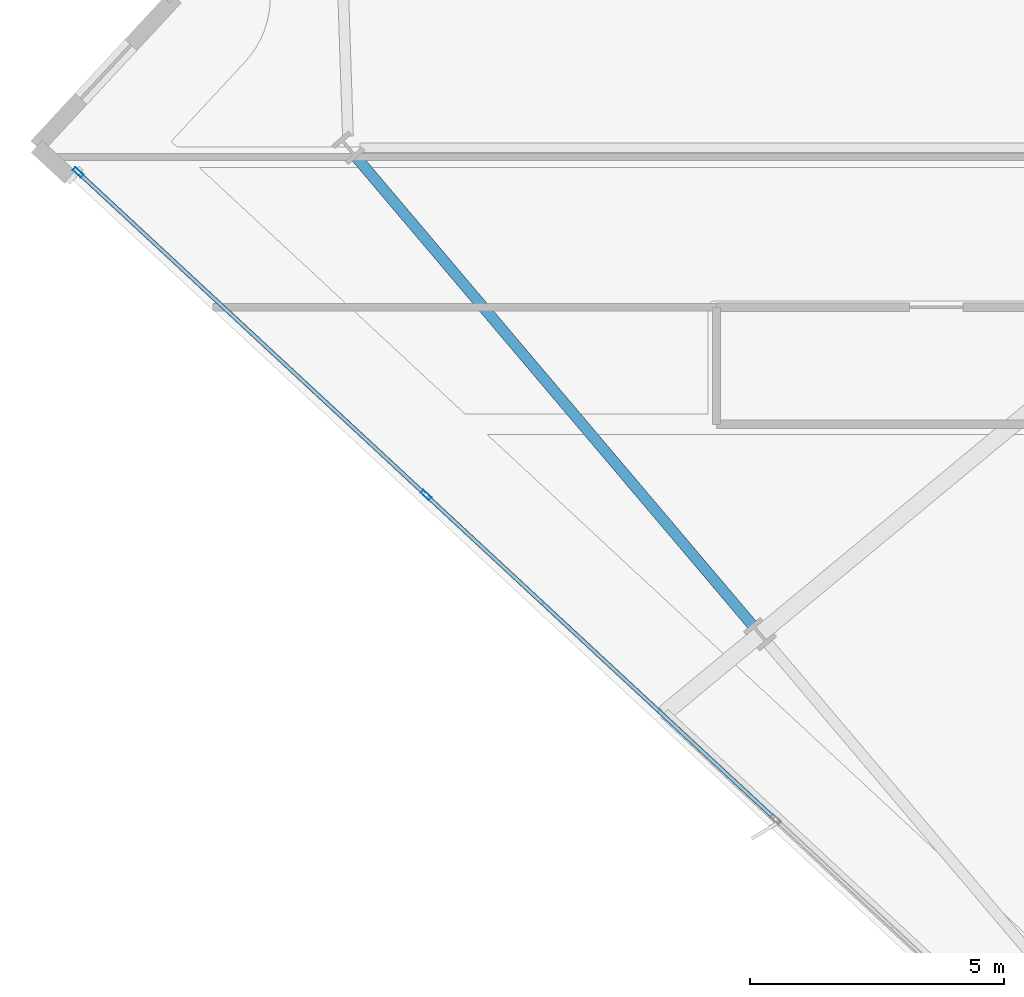
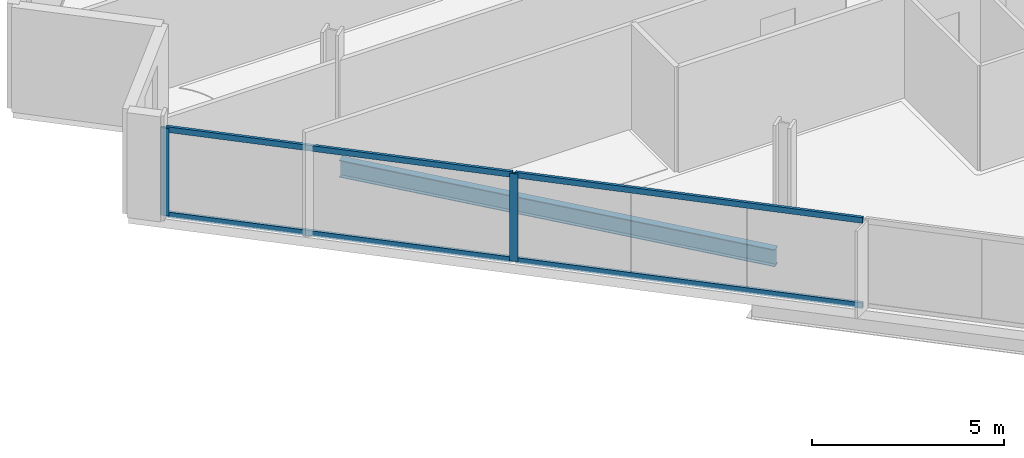
# One storey, part 4 of 32: 6 members, 1 beam, 1 element without a shape of its own.
"""IFC4 building model written with IfcOpenShell, lengths in metres."""

from ifc_helpers import new_model, si_unit, direction, frame, origin, origin_2d, place, context, subcontext, project, spatial, hollow_rectangle, i_section, extrude, material, material_profile, profile_set, type_object, element, aggregate, save


model = new_model("IFC4")

# Units and contexts
model_context = context("Model", 3, precision=1e-05, world=origin(), true_north=direction((0.0, 1.0)))
body_context = subcontext(model_context, "Body", "Model", "MODEL_VIEW")
ifc_project = project(units=[si_unit("LENGTHUNIT", "METRE"), si_unit("AREAUNIT", "SQUARE_METRE"), si_unit("VOLUMEUNIT", "CUBIC_METRE"), si_unit("PLANEANGLEUNIT", "RADIAN"), si_unit("MASSUNIT", "GRAM", prefix="KILO")], contexts=[model_context])

# Site, building, storey
site_placement = place(None, origin())
site = spatial("IfcSite", under=ifc_project, at=site_placement, CompositionType="ELEMENT")
building_placement = place(site_placement, origin())
building = spatial("IfcBuilding", under=site, at=building_placement, Name="Haldenkirk Collegiate Tower", CompositionType="ELEMENT")
storey_placement = place(building_placement, frame((0.0, 0.0, 185.699951171875)))
storey = spatial("IfcBuildingStorey", under=building, at=storey_placement, Name="L46", CompositionType="ELEMENT", Elevation=185.699951171875)

# Beam
ifc_material_1 = material(Name="Steel ASTM A992 Grade 50", Category="steel")
ifc_material_profile_1 = material_profile(ifc_material_1, i_section(OverallWidth=0.2119140625, OverallDepth=0.5439453125, WebThickness=0.01318359375, FlangeThickness=0.021240234375, at=origin_2d()), Name="W21X83")
ifc_profile_set_1 = profile_set([ifc_material_profile_1], Name="Steel ASTM A992 Grade 50")
beam_type = type_object("IfcBeamType", Name="BM-SPANDREL-W21X83", PredefinedType="SPANDREL", material=ifc_profile_set_1)
beam_placement = place(storey_placement, frame((11.111328125, 20.80859375, -0.56201171875), z_axis=(0.646126367676, -0.763230448157, 0.0), x_axis=(0.763230448157, 0.646126367676, 0.0)))
element("IfcBeam", 1, at=beam_placement, inside=storey, type_object=beam_type, Name="L46 perimeter spandrel beam 14", PredefinedType="SPANDREL", context=body_context, shape_type="SweptSolid", body=[
    extrude(i_section(OverallWidth=0.2119140625, OverallDepth=0.5439453125, WebThickness=0.01318359375, FlangeThickness=0.021240234375, at=origin_2d()), origin(), (0.0, 0.0, 1.0), 12.06494140625),
])

# Curtain wall, members
ifc_material_2 = material(Name="Anodised architectural bronze aluminium", Category="aluminium")
curtain_wall_type = type_object("IfcCurtainWallType", Name="CW-SYS1-CONVEX-LOW", PredefinedType="USERDEFINED", material=ifc_material_2)
curtain_wall_placement = place(storey_placement, origin())
curtain_wall = element("IfcCurtainWall", 2, at=curtain_wall_placement, inside=storey, type_object=curtain_wall_type, Name="L46 Lower tower convex bronze-framed unitised curtain wall", ObjectType="UNITISED CURTAIN WALL", PredefinedType="USERDEFINED")
ifc_material_profile_2 = material_profile(ifc_material_2, hollow_rectangle(XDim=0.080078125, YDim=0.219970703125, WallThickness=0.0048828125, at=origin_2d()), Name="CW-MUL-1A")
ifc_profile_set_2 = profile_set([ifc_material_profile_2], Name="Anodised architectural bronze aluminium")
member_type_1 = type_object("IfcMemberType", Name="CW-MUL-1A", PredefinedType="MULLION", material=ifc_profile_set_2)
member_1_placement = place(storey_placement, frame((12.4912109375, 14.157470703125, 0.0), z_axis=(0.0, 0.0, 1.0), x_axis=(-0.680080602637, -0.733137349967, 0.0)))
member_1 = element("IfcMember", 3, at=member_1_placement, type_object=member_type_1, Name="CW-1A mullion 4", PredefinedType="MULLION", context=body_context, shape_type="SweptSolid", body=[
    extrude(hollow_rectangle(XDim=0.080078125, YDim=0.219970703125, WallThickness=0.0048828125, at=origin_2d()), origin(), (0.0, 0.0, 1.0), 2.791015625),
])
member_2_placement = place(storey_placement, frame((5.652099609375, 20.501708984375, 0.0), z_axis=(0.0, 0.0, 1.0), x_axis=(-0.680080602637, -0.733137349967, 0.0)))
member_2 = element("IfcMember", 4, at=member_2_placement, type_object=member_type_1, Name="CW-1A mullion 5", PredefinedType="MULLION", context=body_context, shape_type="SweptSolid", body=[
    extrude(hollow_rectangle(XDim=0.080078125, YDim=0.219970703125, WallThickness=0.0048828125, at=origin_2d()), origin(), (0.0, 0.0, 1.0), 2.791015625),
])
ifc_material_profile_3 = material_profile(ifc_material_2, hollow_rectangle(XDim=0.080078125, YDim=0.179931640625, WallThickness=0.0048828125, at=origin_2d()), Name="CW-TRN-1A")
ifc_profile_set_3 = profile_set([ifc_material_profile_3], Name="Anodised architectural bronze aluminium")
member_type_2 = type_object("IfcMemberType", Name="CW-TRN-1A", PredefinedType="USERDEFINED", material=ifc_profile_set_3)
member_3_placement = place(storey_placement, frame((19.33056640625, 7.813232421875, 0.0400390625), z_axis=(-0.733141629135, 0.680075989599, 0.0), x_axis=(-0.680075989599, -0.733141629135, 0.0)))
member_3 = element("IfcMember", 5, at=member_3_placement, type_object=member_type_2, Name="CW-1A transom 3.1", ObjectType="TRANSOM", PredefinedType="USERDEFINED", context=body_context, shape_type="SweptSolid", body=[
    extrude(hollow_rectangle(XDim=0.080078125, YDim=0.179931640625, WallThickness=0.0048828125, at=origin_2d()), origin(), (0.0, 0.0, 1.0), 9.288818359375),
])
member_4_placement = place(storey_placement, frame((19.33056640625, 7.813232421875, 2.7509765625), z_axis=(-0.733141629135, 0.680075989599, 0.0), x_axis=(-0.680075989599, -0.733141629135, 0.0)))
member_4 = element("IfcMember", 6, at=member_4_placement, type_object=member_type_2, Name="CW-1A transom 3.2", ObjectType="TRANSOM", PredefinedType="USERDEFINED", context=body_context, shape_type="SweptSolid", body=[
    extrude(hollow_rectangle(XDim=0.080078125, YDim=0.179931640625, WallThickness=0.0048828125, at=origin_2d()), origin(), (0.0, 0.0, 1.0), 9.288818359375),
])
member_5_placement = place(storey_placement, frame((12.4619140625, 14.184814453125, 0.0400390625), z_axis=(-0.733138445601, 0.680079421525, 0.0), x_axis=(-0.680079421525, -0.733138445601, 0.0)))
member_5 = element("IfcMember", 7, at=member_5_placement, type_object=member_type_2, Name="CW-1A transom 4.1", ObjectType="TRANSOM", PredefinedType="USERDEFINED", context=body_context, shape_type="SweptSolid", body=[
    extrude(hollow_rectangle(XDim=0.080078125, YDim=0.179931640625, WallThickness=0.0048828125, at=origin_2d()), origin(), (0.0, 0.0, 1.0), 9.24853515625),
])
member_6_placement = place(storey_placement, frame((12.4619140625, 14.184814453125, 2.7509765625), z_axis=(-0.733138445601, 0.680079421525, 0.0), x_axis=(-0.680079421525, -0.733138445601, 0.0)))
member_6 = element("IfcMember", 8, at=member_6_placement, type_object=member_type_2, Name="CW-1A transom 4.2", ObjectType="TRANSOM", PredefinedType="USERDEFINED", context=body_context, shape_type="SweptSolid", body=[
    extrude(hollow_rectangle(XDim=0.080078125, YDim=0.179931640625, WallThickness=0.0048828125, at=origin_2d()), origin(), (0.0, 0.0, 1.0), 9.24853515625),
])
aggregate(curtain_wall, [member_1, member_2, member_3, member_4, member_5, member_6])

save(model, "model.ifc")
